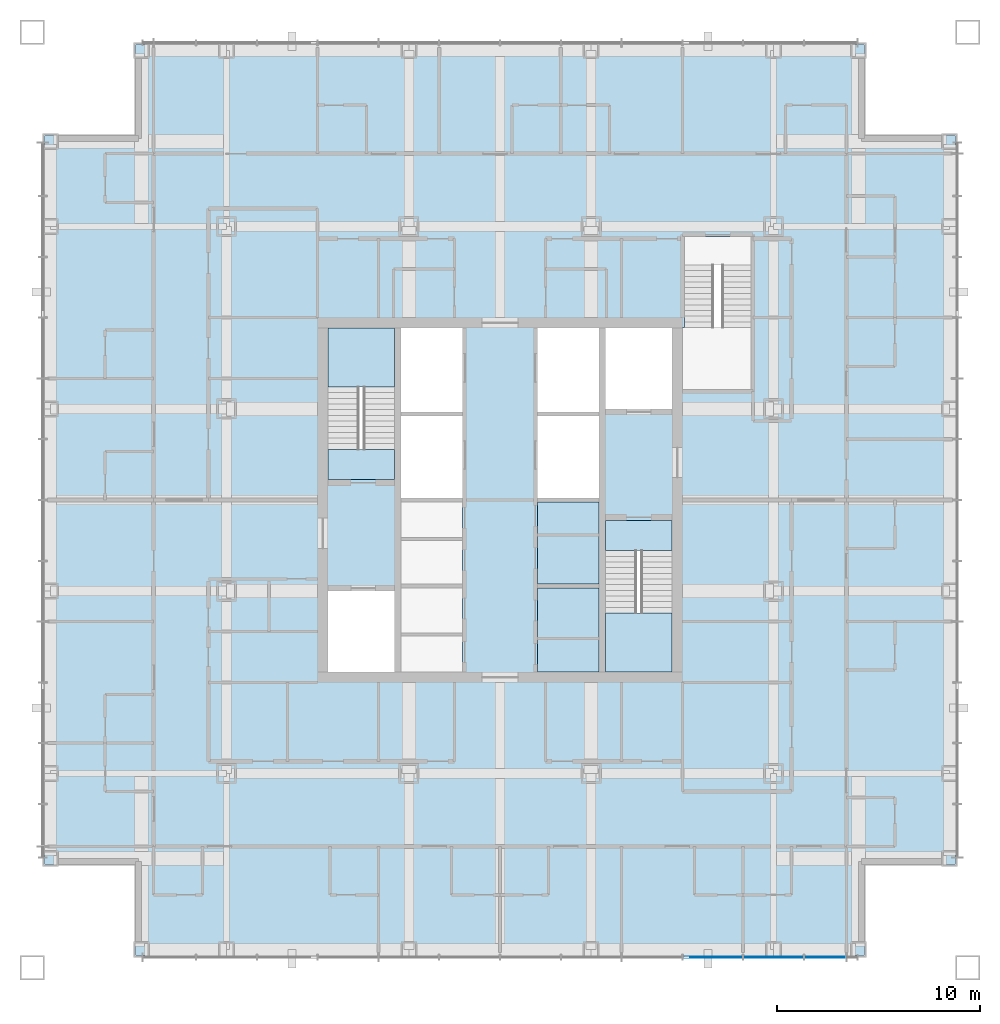
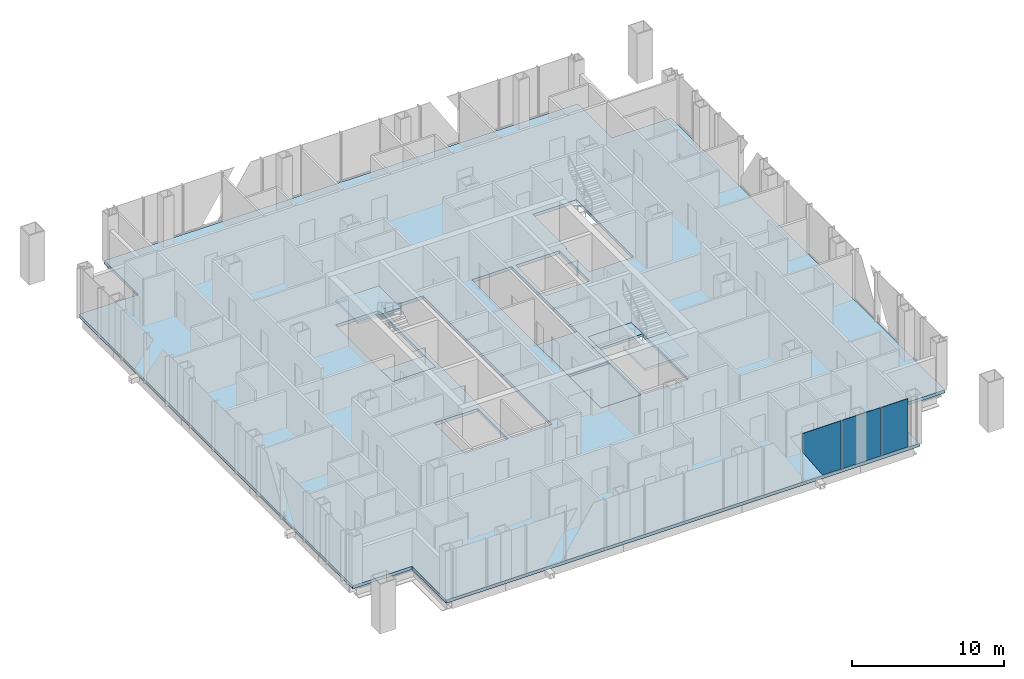
# One storey, part 7 of 21: 7 slabs, 3 plates, 3 elements without a shape of their own.
"""IFC4 building model written with IfcOpenShell, lengths in metres."""

from ifc_helpers import new_model, si_unit, direction, frame, origin, origin_2d, place, context, subcontext, project, spatial, polyline, rectangle, outline, extrude, material, layer, layer_set, type_object, element, aggregate, save


model = new_model("IFC4")

# Units and contexts
model_context = context("Model", 3, precision=1e-05, world=origin(), true_north=direction((0.0, 1.0)))
body_context = subcontext(model_context, "Body", "Model", "MODEL_VIEW")
ifc_project = project(units=[si_unit("LENGTHUNIT", "METRE"), si_unit("AREAUNIT", "SQUARE_METRE"), si_unit("VOLUMEUNIT", "CUBIC_METRE"), si_unit("PLANEANGLEUNIT", "RADIAN"), si_unit("MASSUNIT", "GRAM", prefix="KILO")], contexts=[model_context])

# Site, building, storey
site_placement = place(None, origin())
site = spatial("IfcSite", under=ifc_project, at=site_placement, CompositionType="ELEMENT")
building_placement = place(site_placement, origin())
building = spatial("IfcBuilding", under=site, at=building_placement, Name="Malebo Sky Hospital", CompositionType="ELEMENT")
storey_placement = place(building_placement, frame((0.0, 0.0, 229.0)))
storey = spatial("IfcBuildingStorey", under=building, at=storey_placement, Name="L55", CompositionType="ELEMENT", Elevation=229.0)

# Slabs
ifc_material_1 = material(Name="Concrete C40/50", Category="concrete")
ifc_layer_1 = layer(ifc_material_1, 0.25)
ifc_layer_set_1 = layer_set([ifc_layer_1], Name="COMPOSITE FLOOR SLAB 250")
slab_type_1 = type_object("IfcSlabType", Name="COMPOSITE FLOOR SLAB 250", PredefinedType="FLOOR", material=ifc_layer_set_1)
slab_1_placement = place(storey_placement, frame((0.0, 0.0, -0.25)))
element("IfcSlab", 1, at=slab_1_placement, inside=storey, type_object=slab_type_1, Name="Floor slab L55", PredefinedType="FLOOR", context=body_context, shape_type="SweptSolid", body=[
    extrude(outline(polyline([(42.0, 84.5), (42.0, 80.0), (37.5, 80.0), (37.5, 44.0), (42.0, 44.0), (42.0, 39.5), (78.0, 39.5), (78.0, 44.0), (82.5, 44.0), (82.5, 80.0), (78.0, 80.0), (78.0, 84.5), (42.0, 84.5)]), holes=[polyline([(55.10009765625, 70.5), (58.14990234375, 70.5), (58.14990234375, 53.5), (55.10009765625, 53.5), (55.10009765625, 70.5)]), polyline([(64.89990234375, 70.5), (64.89990234375, 53.5), (61.85009765625, 53.5), (61.85009765625, 70.5), (64.89990234375, 70.5)]), polyline([(54.800048828125, 63.0), (51.5, 63.0), (51.5, 70.5), (54.800048828125, 70.5), (54.800048828125, 63.0)]), polyline([(51.5, 53.5), (51.5, 57.5), (54.800048828125, 57.5), (54.800048828125, 53.5), (51.5, 53.5)]), polyline([(65.199951171875, 61.0), (68.5, 61.0), (68.5, 53.5), (65.199951171875, 53.5), (65.199951171875, 61.0)]), polyline([(68.5, 70.5), (68.5, 66.5), (65.199951171875, 66.5), (65.199951171875, 70.5), (68.5, 70.5)]), polyline([(69.0, 67.449951171875), (69.0, 70.52001953125), (69.10009765625, 70.52001953125), (69.10009765625, 75.0), (72.39990234375, 75.0), (72.39990234375, 67.449951171875), (69.10009765625, 67.449951171875), (69.0, 67.449951171875)])]), origin(), (0.0, 0.0, 1.0), 0.25),
])
ifc_layer_2 = layer(ifc_material_1, 0.25)
ifc_layer_set_2 = layer_set([ifc_layer_2], Name="SHAFT INFILL SLAB 250")
slab_type_2 = type_object("IfcSlabType", Name="SHAFT INFILL SLAB 250", PredefinedType="FLOOR", material=ifc_layer_set_2)
slab_2_placement = place(storey_placement, frame((0.0, 0.0, -0.25)))
element("IfcSlab", 2, at=slab_2_placement, inside=storey, type_object=slab_type_2, Name="Shaft infill slab E1 L55", PredefinedType="FLOOR", context=body_context, shape_type="SweptSolid", body=[
    extrude(outline(polyline([(61.85009765625, 53.5), (64.89990234375, 53.5), (64.89990234375, 57.64990234375), (61.85009765625, 57.64990234375), (61.85009765625, 53.5)])), origin(), (0.0, 0.0, 1.0), 0.25),
])
slab_3_placement = place(storey_placement, frame((0.0, 0.0, -0.25)))
element("IfcSlab", 3, at=slab_3_placement, inside=storey, type_object=slab_type_2, Name="Shaft infill slab E2 L55", PredefinedType="FLOOR", context=body_context, shape_type="SweptSolid", body=[
    extrude(outline(polyline([(61.85009765625, 57.85009765625), (64.89990234375, 57.85009765625), (64.89990234375, 61.89990234375), (61.85009765625, 61.89990234375), (61.85009765625, 57.85009765625)])), origin(), (0.0, 0.0, 1.0), 0.25),
])

# Stair, slabs
stair_type = type_object("IfcStairType", Name="HALF-TURN STAIR 1500 R167", PredefinedType="HALF_TURN_STAIR", material=ifc_material_1)
stair_1_placement = place(storey_placement, origin())
stair_1 = element("IfcStair", 4, at=stair_1_placement, inside=storey, type_object=stair_type, Name="Stair S1 L55 type ST1", PredefinedType="HALF_TURN_STAIR")
ifc_layer_3 = layer(ifc_material_1, 0.199951171875)
ifc_layer_set_3 = layer_set([ifc_layer_3], Name="STAIR LANDING 200")
slab_type_3 = type_object("IfcSlabType", Name="STAIR LANDING 200", PredefinedType="LANDING", material=ifc_layer_set_3)
slab_4_placement = place(storey_placement, frame((0.0, 0.0, -0.199951171875)))
slab_4 = element("IfcSlab", 5, at=slab_4_placement, type_object=slab_type_3, Name="S1 landing 1", PredefinedType="LANDING", context=body_context, shape_type="SweptSolid", body=[
    extrude(outline(polyline([(51.5, 63.0), (54.800048828125, 63.0), (54.800048828125, 64.5), (51.5, 64.5), (51.5, 63.0)])), origin(), (0.0, 0.0, 1.0), 0.199951171875),
])
slab_5_placement = place(storey_placement, frame((0.0, 0.0, 1.800048828125)))
slab_5 = element("IfcSlab", 6, at=slab_5_placement, type_object=slab_type_3, Name="S1 landing 2", PredefinedType="LANDING", context=body_context, shape_type="SweptSolid", body=[
    extrude(outline(polyline([(51.5, 67.580078125), (54.800048828125, 67.580078125), (54.800048828125, 70.5), (51.5, 70.5), (51.5, 67.580078125)])), origin(), (0.0, 0.0, 1.0), 0.199951171875),
])
aggregate(stair_1, [slab_4, slab_5])

stair_2_placement = place(storey_placement, origin())
stair_2 = element("IfcStair", 7, at=stair_2_placement, inside=storey, type_object=stair_type, Name="Stair S2 L55 type ST1", PredefinedType="HALF_TURN_STAIR")
slab_6_placement = place(storey_placement, frame((0.0, 0.0, -0.199951171875)))
slab_6 = element("IfcSlab", 8, at=slab_6_placement, type_object=slab_type_3, Name="S2 landing 1", PredefinedType="LANDING", context=body_context, shape_type="SweptSolid", body=[
    extrude(outline(polyline([(65.199951171875, 59.5), (68.5, 59.5), (68.5, 61.0), (65.199951171875, 61.0), (65.199951171875, 59.5)])), origin(), (0.0, 0.0, 1.0), 0.199951171875),
])
slab_7_placement = place(storey_placement, frame((0.0, 0.0, 1.800048828125)))
slab_7 = element("IfcSlab", 9, at=slab_7_placement, type_object=slab_type_3, Name="S2 landing 2", PredefinedType="LANDING", context=body_context, shape_type="SweptSolid", body=[
    extrude(outline(polyline([(65.199951171875, 53.5), (68.5, 53.5), (68.5, 56.419921875), (65.199951171875, 56.419921875), (65.199951171875, 53.5)])), origin(), (0.0, 0.0, 1.0), 0.199951171875),
])
aggregate(stair_2, [slab_6, slab_7])

# Curtain wall, plates
ifc_material_2 = material(Name="Anodised aluminium, natural silver", Category="aluminium")
ifc_layer_4 = layer(ifc_material_2, 0.25)
ifc_layer_set_4 = layer_set([ifc_layer_4], Name="WARD CURTAIN WALL NORTH AND SOUTH")
curtain_wall_type = type_object("IfcCurtainWallType", Name="WARD CURTAIN WALL NORTH AND SOUTH", PredefinedType="NOTDEFINED", material=ifc_layer_set_4)
curtain_wall_placement = place(storey_placement, origin())
curtain_wall = element("IfcCurtainWall", 10, at=curtain_wall_placement, inside=storey, type_object=curtain_wall_type, Name="NS curtain wall S", PredefinedType="NOTDEFINED")
ifc_material_3 = material(Name="Clear low-iron double glazing", Category="glass")
ifc_layer_5 = layer(ifc_material_3, 0.031982421875)
ifc_layer_set_5 = layer_set([ifc_layer_5], Name="VISION PANEL CLEAR 32")
plate_type = type_object("IfcPlateType", Name="VISION PANEL CLEAR 32", PredefinedType="CURTAIN_PANEL", material=ifc_layer_set_5)
plate_1_placement = place(storey_placement, frame((76.050048828125, 39.425048828125, 0.10009765625), z_axis=(0.0, 0.0, 1.0), x_axis=(-1.0, 0.0, 0.0)))
plate_1 = element("IfcPlate", 11, at=plate_1_placement, type_object=plate_type, Name="Panel 2", PredefinedType="CURTAIN_PANEL", context=body_context, shape_type="SweptSolid", body=[
    extrude(rectangle(XDim=2.02490234375, YDim=0.031982421875, at=origin_2d()), origin(), (0.0, 0.0, 1.0), 3.889892578125),
])
plate_2_placement = place(storey_placement, frame((73.5, 39.425048828125, 0.10009765625), z_axis=(0.0, 0.0, 1.0), x_axis=(-1.0, 0.0, 0.0)))
plate_2 = element("IfcPlate", 12, at=plate_2_placement, type_object=plate_type, Name="Panel 3", PredefinedType="CURTAIN_PANEL", context=body_context, shape_type="SweptSolid", body=[
    extrude(rectangle(XDim=2.925048828125, YDim=0.031982421875, at=origin_2d()), origin(), (0.0, 0.0, 1.0), 3.889892578125),
])
plate_3_placement = place(storey_placement, frame((70.5, 39.425048828125, 0.10009765625), z_axis=(0.0, 0.0, 1.0), x_axis=(-1.0, 0.0, 0.0)))
plate_3 = element("IfcPlate", 13, at=plate_3_placement, type_object=plate_type, Name="Panel 4", PredefinedType="CURTAIN_PANEL", context=body_context, shape_type="SweptSolid", body=[
    extrude(outline(polyline([(-1.46240234375, 0.0), (-0.0703125, 0.0), (1.46240234375, 2.388916015625), (1.46240234375, 3.889892578125), (-1.46240234375, 3.889892578125), (-1.46240234375, 0.0)])), frame((0.0, 0.01611328125, 0.0), z_axis=(0.0, -1.0, 0.0), x_axis=(1.0, 0.0, 0.0)), (0.0, 0.0, 1.0), 0.031982421875),
])
aggregate(curtain_wall, [plate_1, plate_2, plate_3])

save(model, "model.ifc")
